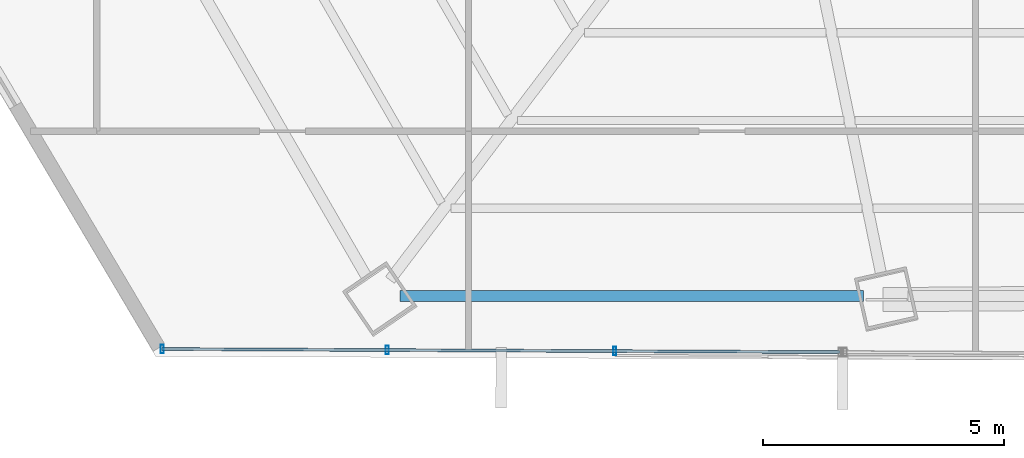
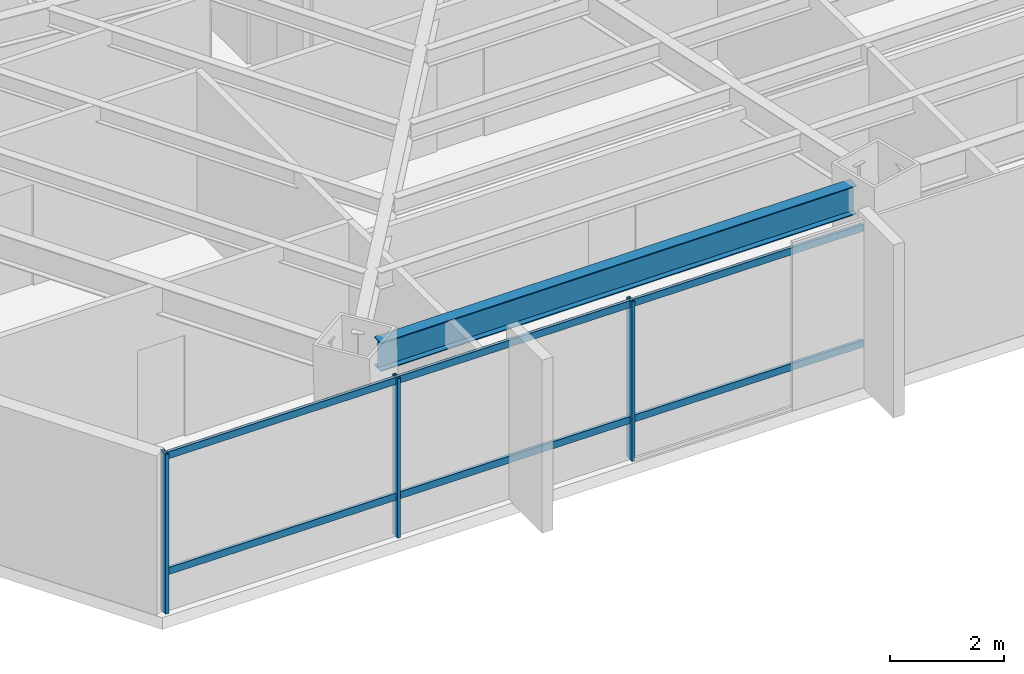
# One storey, part 4 of 35: 5 members, 1 beam, 1 element without a shape of its own.
"""IFC4 building model written with IfcOpenShell, lengths in metres."""

from ifc_helpers import new_model, si_unit, direction, frame, origin, origin_2d, place, context, subcontext, project, spatial, hollow_rectangle, i_section, extrude, source, transform, mapped, material, material_profile, profile_set, type_object, type_shapes, element, aggregate, save


model = new_model("IFC4")

# Units and contexts
model_context = context("Model", 3, precision=1e-05, world=origin(), true_north=direction((0.0, 1.0)))
body_context = subcontext(model_context, "Body", "Model", "MODEL_VIEW")
ifc_project = project(units=[si_unit("LENGTHUNIT", "METRE"), si_unit("AREAUNIT", "SQUARE_METRE"), si_unit("VOLUMEUNIT", "CUBIC_METRE"), si_unit("PLANEANGLEUNIT", "RADIAN"), si_unit("MASSUNIT", "GRAM", prefix="KILO")], contexts=[model_context])

# Site, building, storey
site_placement = place(None, origin())
site = spatial("IfcSite", under=ifc_project, at=site_placement, CompositionType="ELEMENT")
building_placement = place(site_placement, origin())
building = spatial("IfcBuilding", under=site, at=building_placement, Name="Caelisora Broadcast Tower", CompositionType="ELEMENT")
storey_placement = place(building_placement, frame((0.0, 0.0, 109.050048828125)))
storey = spatial("IfcBuildingStorey", under=building, at=storey_placement, Name="L28", CompositionType="ELEMENT", Elevation=109.050048828125)

# Beam
ifc_material_1 = material(Name="Steel Grade 350 (AS/NZS 3679.1)", Category="steel")
ifc_material_profile_1 = material_profile(ifc_material_1, i_section(OverallWidth=0.22900390625, OverallDepth=0.611572265625, WebThickness=0.011962890625, FlangeThickness=0.01953125, at=origin_2d()), Name="Steel Grade 350 (AS/NZS 3679.1)")
ifc_profile_set_1 = profile_set([ifc_material_profile_1], Name="Steel Grade 350 (AS/NZS 3679.1)")
beam_type = type_object("IfcBeamType", Name="PG03", PredefinedType="BEAM", material=ifc_profile_set_1)
shared_shape_1 = source(origin(), body_context, "Body", "SweptSolid", [
    extrude(i_section(OverallWidth=0.22900390625, OverallDepth=0.611572265625, WebThickness=0.011962890625, FlangeThickness=0.01953125, at=origin_2d()), origin(), (0.0, 0.0, 1.0), 9.59912109375),
])
type_shapes(beam_type, [shared_shape_1])
beam_placement = place(storey_placement, frame((22.681396484375, 6.485595703125, 3.09423828125), z_axis=(1.0, 0.0, 0.0), x_axis=(0.0, 1.0, 0.0)))
element("IfcBeam", 1, at=beam_placement, inside=storey, type_object=beam_type, Name="L28 beam PG03", PredefinedType="BEAM", context=body_context, shape_type="MappedRepresentation", body=[
    mapped(shared_shape_1, transform((0.0, 0.0, 0.0), scale=1.0)),
])

# Curtain wall, members
ifc_material_2 = material(Name="Unitised Aluminium and Low-E Glass Curtain Wall", Category="glass")
curtain_wall_type = type_object("IfcCurtainWallType", Name="CW-Z2", PredefinedType="NOTDEFINED", material=ifc_material_2)
curtain_wall_placement = place(storey_placement, origin())
curtain_wall = element("IfcCurtainWall", 2, at=curtain_wall_placement, inside=storey, type_object=curtain_wall_type, Name="L28 curtain wall CW-Z2", PredefinedType="NOTDEFINED")
ifc_material_3 = material(Name="Aluminium 6063-T6 Anodised Terracotta Bronze", Category="aluminium")
ifc_material_profile_2 = material_profile(ifc_material_3, hollow_rectangle(XDim=0.06494140625, YDim=0.179931640625, WallThickness=0.00341796875, at=origin_2d()), Name="Aluminium 6063-T6 Anodised Terracotta Bronze")
ifc_profile_set_2 = profile_set([ifc_material_profile_2], Name="Aluminium 6063-T6 Anodised Terracotta Bronze")
member_type_1 = type_object("IfcMemberType", Name="CWM-02", PredefinedType="MULLION", material=ifc_profile_set_2)
shared_shape_2 = source(origin(), body_context, "Body", "SweptSolid", [
    extrude(hollow_rectangle(XDim=0.06494140625, YDim=0.179931640625, WallThickness=0.00341796875, at=origin_2d()), origin(), (0.0, 0.0, 1.0), 3.39990234375),
])
type_shapes(member_type_1, [shared_shape_2])
member_1_placement = place(storey_placement, frame((27.13330078125, 5.346435546875, 0.0), z_axis=(0.0, 0.0, 1.0), x_axis=(1.0, 0.0, 0.0)))
member_1 = element("IfcMember", 3, at=member_1_placement, type_object=member_type_1, Name="L28-CW-B07 mullion #1", PredefinedType="MULLION", context=body_context, shape_type="MappedRepresentation", body=[
    mapped(shared_shape_2, transform((0.0, 0.0, 0.0), scale=1.0)),
])
member_2_placement = place(storey_placement, frame((22.419677734375, 5.368408203125, 0.0), z_axis=(0.0, 0.0, 1.0), x_axis=(1.0, 0.0, 0.0)))
member_2 = element("IfcMember", 4, at=member_2_placement, type_object=member_type_1, Name="L28-CW-B07 mullion #2", PredefinedType="MULLION", context=body_context, shape_type="MappedRepresentation", body=[
    mapped(shared_shape_2, transform((0.0, 0.0, 0.0), scale=1.0)),
])
member_3_placement = place(storey_placement, frame((17.756103515625, 5.389892578125, 0.0), z_axis=(0.0, 0.0, 1.0), x_axis=(1.0, 0.0, 0.0)))
member_3 = element("IfcMember", 5, at=member_3_placement, type_object=member_type_1, Name="L28-CW-B07 mullion #3", PredefinedType="MULLION", context=body_context, shape_type="MappedRepresentation", body=[
    mapped(shared_shape_2, transform((0.0, 0.0, 0.0), scale=1.0)),
])
ifc_material_profile_3 = material_profile(ifc_material_3, hollow_rectangle(XDim=0.06005859375, YDim=0.14990234375, WallThickness=0.00341796875, at=origin_2d()), Name="Aluminium 6063-T6 Anodised Terracotta Bronze")
ifc_profile_set_3 = profile_set([ifc_material_profile_3], Name="Aluminium 6063-T6 Anodised Terracotta Bronze")
member_type_2 = type_object("IfcMemberType", Name="CWT-02", PredefinedType="USERDEFINED", material=ifc_profile_set_3)
shared_shape_3 = source(origin(), body_context, "Body", "SweptSolid", [
    extrude(hollow_rectangle(XDim=0.06005859375, YDim=0.14990234375, WallThickness=0.00341796875, at=origin_2d()), origin(), (0.0, 0.0, 1.0), 14.041015625),
])
type_shapes(member_type_2, [shared_shape_3])
member_4_placement = place(storey_placement, frame((31.796875, 5.324951171875, 0.849853515625), z_axis=(-0.999989303924, 0.004625152664, 0.0), x_axis=(-0.004625152664, -0.999989303924, 0.0)))
member_4 = element("IfcMember", 6, at=member_4_placement, type_object=member_type_2, Name="L28-CW-B07 transom #1", ObjectType="TRANSOM", PredefinedType="USERDEFINED", context=body_context, shape_type="MappedRepresentation", body=[
    mapped(shared_shape_3, transform((0.0, 0.0, 0.0), scale=1.0)),
])
member_5_placement = place(storey_placement, frame((31.796875, 5.324951171875, 3.320068359375), z_axis=(-0.999989303924, 0.004625152664, 0.0), x_axis=(-0.004625152664, -0.999989303924, 0.0)))
member_5 = element("IfcMember", 7, at=member_5_placement, type_object=member_type_2, Name="L28-CW-B07 transom #2", ObjectType="TRANSOM", PredefinedType="USERDEFINED", context=body_context, shape_type="MappedRepresentation", body=[
    mapped(shared_shape_3, transform((0.0, 0.0, 0.0), scale=1.0)),
])
aggregate(curtain_wall, [member_1, member_2, member_3, member_4, member_5])

save(model, "model.ifc")
